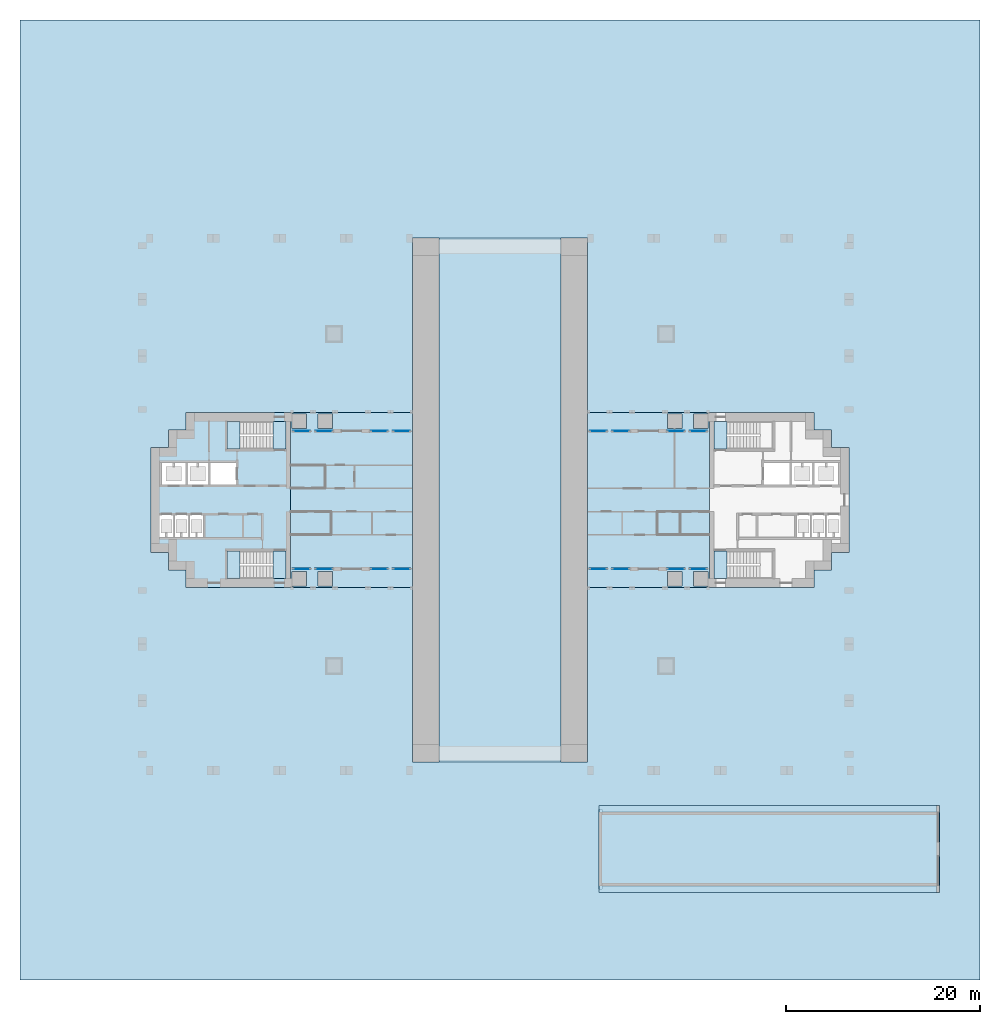
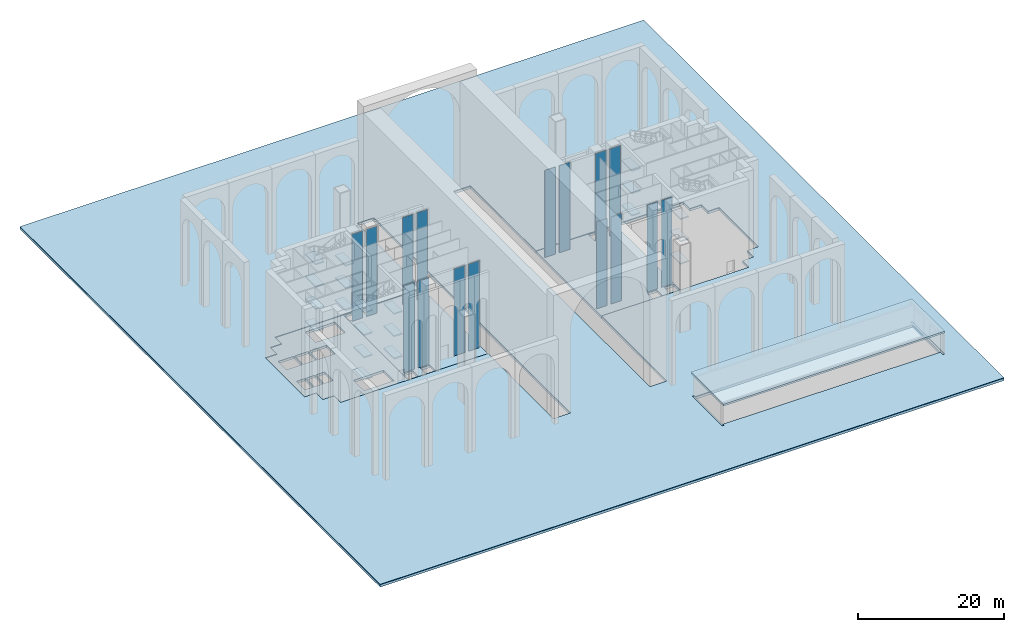
# One storey, part 3 of 18: 27 slabs, 16 plates, 20 elements without a shape of their own.
"""IFC4 building model written with IfcOpenShell, lengths in metres."""

import ifcopenshell
import ifcopenshell.guid

model = None  # the IFC model being written
_history = None  # IfcOwnerHistory: only IFC2X3 demands one
_inside = {}  # id of a spatial element -> (the spatial element, [elements in it])
_under = {}  # id of a project, library or spatial element -> (it, [spatial elements below it])
_declared = {}  # id of a project -> (the project, [libraries it declares])
_typed = {}  # id of a type object -> (the type object, [elements of that type])
_made_of = {}  # id of a material, layer set ... -> (it, [elements and type objects made of it])


def new_model(schema):
    """Start an empty IFC model of exactly this schema.

    Asked for "IFC4X3", IfcOpenShell would pick the latest addendum, in which some entities
    have other attributes; the version numbers below select the first issue.
    IFC2X3 requires an IfcOwnerHistory on every rooted entity: one is made here for all.
    """
    global model, _history
    if schema == "IFC4X3":
        model = ifcopenshell.file(schema_version=(4, 3, 0, 0))
    else:
        model = ifcopenshell.file(schema=schema)
    _inside.clear()
    _under.clear()
    _declared.clear()
    _typed.clear()
    _made_of.clear()
    _history = None
    if model.schema == "IFC2X3":
        org = make("IfcOrganization", Name="unknown")
        user = make(
            "IfcPersonAndOrganization",
            ThePerson=make("IfcPerson", FamilyName="unknown"),
            TheOrganization=org,
        )
        app = make(
            "IfcApplication",
            ApplicationDeveloper=org,
            Version="unknown",
            ApplicationFullName="unknown",
            ApplicationIdentifier="unknown",
        )
        _history = make(
            "IfcOwnerHistory",
            OwningUser=user,
            OwningApplication=app,
            ChangeAction="ADDED",
            CreationDate=0,
        )
    return model


def make(cls, **values):
    """One entity of the class cls with the attributes given. An attribute that is None is left unset."""
    return model.create_entity(
        cls, **{name: value for name, value in values.items() if value is not None}
    )


def rooted(cls, **values):
    """An entity with a GlobalId (a new one), such as an element, a storey or a relation."""
    return make(cls, GlobalId=ifcopenshell.guid.new(), OwnerHistory=_history, **values)


def si_unit(unit_type, name, prefix=None):
    """IfcSIUnit, for example si_unit("LENGTHUNIT", "METRE", prefix="MILLI")."""
    return make("IfcSIUnit", UnitType=unit_type, Prefix=prefix, Name=name)


def assignment(units):
    """IfcUnitAssignment: the units of a project."""
    return None if units is None else make("IfcUnitAssignment", Units=units)


def point(xyz):
    """IfcCartesianPoint."""
    return None if xyz is None else make("IfcCartesianPoint", Coordinates=xyz)


def direction(xyz):
    """IfcDirection."""
    return None if xyz is None else make("IfcDirection", DirectionRatios=xyz)


def frame(location, z_axis=None, x_axis=None):
    """IfcAxis2Placement3D, a coordinate frame: its origin and axes. An axis left out is left unset."""
    return make(
        "IfcAxis2Placement3D",
        Location=point(location),
        Axis=direction(z_axis),
        RefDirection=direction(x_axis),
    )


def frame_2d(location, x_axis=None):
    """IfcAxis2Placement2D, a coordinate frame in the plane: its origin and x axis."""
    return make(
        "IfcAxis2Placement2D", Location=point(location), RefDirection=direction(x_axis)
    )


def origin():
    """The frame at (0, 0, 0) with its axes left unset."""
    return frame((0.0, 0.0, 0.0))


def origin_2d():
    """The frame at (0, 0) in the plane with its x axis left unset."""
    return frame_2d((0.0, 0.0))


def place(relative_to, where):
    """IfcLocalPlacement: puts the frame where relative to a parent placement (None: the world)."""
    return make(
        "IfcLocalPlacement", PlacementRelTo=relative_to, RelativePlacement=where
    )


def context(
    kind, dimensions, precision=None, world=None, true_north=None, identifier=None
):
    """IfcGeometricRepresentationContext, for example the 3D "Model" context."""
    return make(
        "IfcGeometricRepresentationContext",
        ContextIdentifier=identifier,
        ContextType=kind,
        CoordinateSpaceDimension=dimensions,
        Precision=precision,
        WorldCoordinateSystem=world,
        TrueNorth=true_north,
    )


def subcontext(parent, identifier, kind, view, scale=None):
    """IfcGeometricRepresentationSubContext, for example "Body" below "Model"."""
    return make(
        "IfcGeometricRepresentationSubContext",
        ContextIdentifier=identifier,
        ContextType=kind,
        ParentContext=parent,
        TargetScale=scale,
        TargetView=view,
    )


def project(units=None, contexts=None):
    """IfcProject with its units and contexts."""
    return rooted(
        "IfcProject",
        Name="project",
        RepresentationContexts=contexts,
        UnitsInContext=assignment(units),
    )


def spatial(cls, under=None, at=None, **own):
    """A site, building, storey or space (cls), placed at a placement, below another one or the project."""
    s = rooted(cls, ObjectPlacement=at, **own)
    if under is not None:
        _under.setdefault(under.id(), (under, []))[1].append(s)
    return s


def polyline(points):
    """IfcPolyline through the points."""
    return make("IfcPolyline", Points=[point(p) for p in points])


def profile(cls, at=None, kind="AREA", **sizes):
    """A parametric profile (cls). Its sizes go by their IFC names, for example OverallWidth=200.0."""
    return make(cls, ProfileType=kind, Position=at, **sizes)


def rectangle(**sizes):
    """IfcRectangleProfileDef."""
    return profile("IfcRectangleProfileDef", **sizes)


def outline(outer, holes=None, kind="AREA"):
    """IfcArbitraryClosedProfileDef: a profile drawn as a closed curve; with holes, ...WithVoids."""
    if holes is None:
        return make("IfcArbitraryClosedProfileDef", ProfileType=kind, OuterCurve=outer)
    return make(
        "IfcArbitraryProfileDefWithVoids",
        ProfileType=kind,
        OuterCurve=outer,
        InnerCurves=holes,
    )


def extrude(swept, where, along, depth):
    """IfcExtrudedAreaSolid: the profile swept, set in the frame where, extruded along a direction by depth."""
    return make(
        "IfcExtrudedAreaSolid",
        SweptArea=swept,
        Position=where,
        ExtrudedDirection=direction(along),
        Depth=depth,
    )


def shape(context_of_items, identifier, shape_type, items):
    """IfcShapeRepresentation: the items that make up one representation, for example the "Body"."""
    return make(
        "IfcShapeRepresentation",
        ContextOfItems=context_of_items,
        RepresentationIdentifier=identifier,
        RepresentationType=shape_type,
        Items=items,
    )


def material(Name=None, Category=None):
    """IfcMaterial."""
    return make("IfcMaterial", Name=Name, Category=Category)


def layer(
    of_material, thickness, ventilated=None, Name=None, Category=None, Priority=None
):
    """IfcMaterialLayer: one layer of a wall or slab, of a material (None: an air gap)."""
    return make(
        "IfcMaterialLayer",
        Material=of_material,
        LayerThickness=thickness,
        IsVentilated=ventilated,
        Name=Name,
        Category=Category,
        Priority=Priority,
    )


def layer_set(layers, Name=None):
    """IfcMaterialLayerSet."""
    return make("IfcMaterialLayerSet", MaterialLayers=layers, LayerSetName=Name)


def made_of(thing, what):
    """Note that an element or type object is made of a material, layer set ...; save() writes the relation."""
    if what is not None:
        _made_of.setdefault(what.id(), (what, []))[1].append(thing)
    return thing


def type_object(cls, material=None, **own):
    """A type object (cls), such as IfcWallType, which elements share."""
    return made_of(rooted(cls, **own), material)


def element(
    cls,
    number,
    at=None,
    inside=None,
    cuts=None,
    type_object=None,
    material=None,
    context=None,
    identifier="Body",
    shape_type=None,
    held_by="IfcProductDefinitionShape",
    body=None,
    shapes=None,
    **own,
):
    """One element of the class cls, such as IfcWall. Its Tag is "e" and its number.

    at: its placement. inside: the storey or other place that contains it. cuts: it is an
    opening in that element (IfcRelVoidsElement). A single representation is given by context,
    identifier, shape_type and body (its items); several are given by shapes. held_by: the class
    of the entity that holds the representations. save() writes the other relations.
    """
    e = rooted(cls, Tag="e%d" % number, ObjectPlacement=at, **own)
    if body is not None:
        shapes = [shape(context, identifier, shape_type, body)]
    if shapes is not None:
        e.Representation = make(held_by, Representations=shapes)
    if inside is not None:
        _inside.setdefault(inside.id(), (inside, []))[1].append(e)
    if cuts is not None:
        rooted(
            "IfcRelVoidsElement", RelatingBuildingElement=cuts, RelatedOpeningElement=e
        )
    if type_object is not None:
        _typed.setdefault(type_object.id(), (type_object, []))[1].append(e)
    return made_of(e, material)


def aggregate(whole, parts):
    """IfcRelAggregates: a whole, such as a stair, and the parts it consists of."""
    return rooted("IfcRelAggregates", RelatingObject=whole, RelatedObjects=parts)


def save(model, path):
    """Write the relations noted so far, then the file.

    IfcRelAggregates (storeys below a building ...), IfcRelContainedInSpatialStructure (elements
    in a storey), IfcRelDefinesByType, IfcRelAssociatesMaterial and IfcRelDeclares: one each for
    every whole, place, type object, material and project.
    """
    for whole, parts in _under.values():
        aggregate(whole, parts)
    for where, things in _inside.values():
        rooted(
            "IfcRelContainedInSpatialStructure",
            RelatedElements=things,
            RelatingStructure=where,
        )
    for kind, things in _typed.values():
        rooted("IfcRelDefinesByType", RelatedObjects=things, RelatingType=kind)
    for what, things in _made_of.values():
        rooted("IfcRelAssociatesMaterial", RelatedObjects=things, RelatingMaterial=what)
    for by, libraries in _declared.values():
        rooted("IfcRelDeclares", RelatingContext=by, RelatedDefinitions=libraries)
    model.write(path)


model = new_model("IFC4")

# Units and contexts
model_context = context("Model", 3, precision=1e-05, world=origin(), true_north=direction((0.0, 1.0)))
body_context = subcontext(model_context, "Body", "Model", "MODEL_VIEW")
ifc_project = project(units=[si_unit("LENGTHUNIT", "METRE"), si_unit("AREAUNIT", "SQUARE_METRE"), si_unit("VOLUMEUNIT", "CUBIC_METRE"), si_unit("PLANEANGLEUNIT", "RADIAN"), si_unit("MASSUNIT", "GRAM", prefix="KILO")], contexts=[model_context])

# Site, building, storey
site_placement = place(None, origin())
site = spatial("IfcSite", under=ifc_project, at=site_placement, CompositionType="ELEMENT")
building_placement = place(site_placement, origin())
building = spatial("IfcBuilding", under=site, at=building_placement, Name="Perihelion Cross Residences", CompositionType="ELEMENT")
storey_placement = place(building_placement, origin())
storey = spatial("IfcBuildingStorey", under=building, at=storey_placement, Name="L00", CompositionType="ELEMENT", Elevation=0.0)

# Curtain wall, plate
ifc_material_1 = material(Name="Bronze anodised aluminium, tinted glazing", Category="aluminium")
curtain_wall_type = type_object("IfcCurtainWallType", Name="CW5", PredefinedType="NOTDEFINED", material=ifc_material_1)
curtain_wall_1_placement = place(storey_placement, origin())
curtain_wall_1 = element("IfcCurtainWall", 1, at=curtain_wall_1_placement, inside=storey, type_object=curtain_wall_type, Name="Curtain wall CW5 L00 arcade east bay 1 glazing no. 1", PredefinedType="NOTDEFINED")
ifc_material_2 = material(Name="Tinted laminated glass", Category="glass")
ifc_layer_1 = layer(ifc_material_2, 0.0400390625)
ifc_layer_set_1 = layer_set([ifc_layer_1], Name="CW5 panel")
plate_type = type_object("IfcPlateType", Name="CW5 panel", PredefinedType="CURTAIN_PANEL", material=ifc_layer_set_1)
plate_1_placement = place(storey_placement, frame((20.449951171875, 7.10009765625, 0.0), z_axis=(0.0, 0.0, 1.0), x_axis=(-1.0, 0.0, 0.0)))
plate_1 = element("IfcPlate", 2, at=plate_1_placement, type_object=plate_type, Name="CW5 panel 1", PredefinedType="CURTAIN_PANEL", context=body_context, shape_type="SweptSolid", body=[
    extrude(rectangle(XDim=1.699951171875, YDim=0.0400390625, at=origin_2d()), origin(), (0.0, 0.0, 1.0), 14.60009765625),
])
aggregate(curtain_wall_1, [plate_1])

curtain_wall_2_placement = place(storey_placement, origin())
curtain_wall_2 = element("IfcCurtainWall", 3, at=curtain_wall_2_placement, inside=storey, type_object=curtain_wall_type, Name="Curtain wall CW5 L00 arcade east bay 2 glazing no. 1", PredefinedType="NOTDEFINED")
plate_2_placement = place(storey_placement, frame((18.14990234375, 7.10009765625, 0.0), z_axis=(0.0, 0.0, 1.0), x_axis=(-1.0, 0.0, 0.0)))
plate_2 = element("IfcPlate", 4, at=plate_2_placement, type_object=plate_type, Name="CW5 panel 1", PredefinedType="CURTAIN_PANEL", context=body_context, shape_type="SweptSolid", body=[
    extrude(rectangle(XDim=1.699951171875, YDim=0.0400390625, at=origin_2d()), origin(), (0.0, 0.0, 1.0), 14.60009765625),
])
aggregate(curtain_wall_2, [plate_2])

curtain_wall_3_placement = place(storey_placement, origin())
curtain_wall_3 = element("IfcCurtainWall", 5, at=curtain_wall_3_placement, inside=storey, type_object=curtain_wall_type, Name="Curtain wall CW5 L00 arcade east bay 4 glazing no. 1", PredefinedType="NOTDEFINED")
plate_3_placement = place(storey_placement, frame((12.449951171875, 7.10009765625, 0.0), z_axis=(0.0, 0.0, 1.0), x_axis=(-1.0, 0.0, 0.0)))
plate_3 = element("IfcPlate", 6, at=plate_3_placement, type_object=plate_type, Name="CW5 panel 1", PredefinedType="CURTAIN_PANEL", context=body_context, shape_type="SweptSolid", body=[
    extrude(rectangle(XDim=1.699951171875, YDim=0.0400390625, at=origin_2d()), origin(), (0.0, 0.0, 1.0), 14.60009765625),
])
aggregate(curtain_wall_3, [plate_3])

curtain_wall_4_placement = place(storey_placement, origin())
curtain_wall_4 = element("IfcCurtainWall", 7, at=curtain_wall_4_placement, inside=storey, type_object=curtain_wall_type, Name="Curtain wall CW5 L00 arcade east bay 5 glazing no. 1", PredefinedType="NOTDEFINED")
plate_4_placement = place(storey_placement, frame((10.14990234375, 7.10009765625, 0.0), z_axis=(0.0, 0.0, 1.0), x_axis=(-1.0, 0.0, 0.0)))
plate_4 = element("IfcPlate", 8, at=plate_4_placement, type_object=plate_type, Name="CW5 panel 1", PredefinedType="CURTAIN_PANEL", context=body_context, shape_type="SweptSolid", body=[
    extrude(rectangle(XDim=1.699951171875, YDim=0.0400390625, at=origin_2d()), origin(), (0.0, 0.0, 1.0), 14.60009765625),
])
aggregate(curtain_wall_4, [plate_4])

curtain_wall_5_placement = place(storey_placement, origin())
curtain_wall_5 = element("IfcCurtainWall", 9, at=curtain_wall_5_placement, inside=storey, type_object=curtain_wall_type, Name="Curtain wall CW5 L00 arcade east bay 1 glazing no. 2", PredefinedType="NOTDEFINED")
plate_5_placement = place(storey_placement, frame((10.14990234375, -7.10009765625, 0.0), z_axis=(0.0, 0.0, 1.0), x_axis=(1.0, 0.0, 0.0)))
plate_5 = element("IfcPlate", 10, at=plate_5_placement, type_object=plate_type, Name="CW5 panel 1", PredefinedType="CURTAIN_PANEL", context=body_context, shape_type="SweptSolid", body=[
    extrude(rectangle(XDim=1.699951171875, YDim=0.0400390625, at=origin_2d()), origin(), (0.0, 0.0, 1.0), 14.60009765625),
])
aggregate(curtain_wall_5, [plate_5])

curtain_wall_6_placement = place(storey_placement, origin())
curtain_wall_6 = element("IfcCurtainWall", 11, at=curtain_wall_6_placement, inside=storey, type_object=curtain_wall_type, Name="Curtain wall CW5 L00 arcade east bay 2 glazing no. 2", PredefinedType="NOTDEFINED")
plate_6_placement = place(storey_placement, frame((12.449951171875, -7.10009765625, 0.0), z_axis=(0.0, 0.0, 1.0), x_axis=(1.0, 0.0, 0.0)))
plate_6 = element("IfcPlate", 12, at=plate_6_placement, type_object=plate_type, Name="CW5 panel 1", PredefinedType="CURTAIN_PANEL", context=body_context, shape_type="SweptSolid", body=[
    extrude(rectangle(XDim=1.699951171875, YDim=0.0400390625, at=origin_2d()), origin(), (0.0, 0.0, 1.0), 14.60009765625),
])
aggregate(curtain_wall_6, [plate_6])

curtain_wall_7_placement = place(storey_placement, origin())
curtain_wall_7 = element("IfcCurtainWall", 13, at=curtain_wall_7_placement, inside=storey, type_object=curtain_wall_type, Name="Curtain wall CW5 L00 arcade east bay 4 glazing no. 2", PredefinedType="NOTDEFINED")
plate_7_placement = place(storey_placement, frame((18.14990234375, -7.10009765625, 0.0), z_axis=(0.0, 0.0, 1.0), x_axis=(1.0, 0.0, 0.0)))
plate_7 = element("IfcPlate", 14, at=plate_7_placement, type_object=plate_type, Name="CW5 panel 1", PredefinedType="CURTAIN_PANEL", context=body_context, shape_type="SweptSolid", body=[
    extrude(rectangle(XDim=1.699951171875, YDim=0.0400390625, at=origin_2d()), origin(), (0.0, 0.0, 1.0), 14.60009765625),
])
aggregate(curtain_wall_7, [plate_7])

curtain_wall_8_placement = place(storey_placement, origin())
curtain_wall_8 = element("IfcCurtainWall", 15, at=curtain_wall_8_placement, inside=storey, type_object=curtain_wall_type, Name="Curtain wall CW5 L00 arcade east bay 5 glazing no. 2", PredefinedType="NOTDEFINED")
plate_8_placement = place(storey_placement, frame((20.449951171875, -7.10009765625, 0.0), z_axis=(0.0, 0.0, 1.0), x_axis=(1.0, 0.0, 0.0)))
plate_8 = element("IfcPlate", 16, at=plate_8_placement, type_object=plate_type, Name="CW5 panel 1", PredefinedType="CURTAIN_PANEL", context=body_context, shape_type="SweptSolid", body=[
    extrude(rectangle(XDim=1.699951171875, YDim=0.0400390625, at=origin_2d()), origin(), (0.0, 0.0, 1.0), 14.60009765625),
])
aggregate(curtain_wall_8, [plate_8])

curtain_wall_9_placement = place(storey_placement, origin())
curtain_wall_9 = element("IfcCurtainWall", 17, at=curtain_wall_9_placement, inside=storey, type_object=curtain_wall_type, Name="Curtain wall CW5 L00 arcade west bay 1 glazing no. 1", PredefinedType="NOTDEFINED")
plate_9_placement = place(storey_placement, frame((-10.14990234375, 7.10009765625, 0.0), z_axis=(0.0, 0.0, 1.0), x_axis=(-1.0, 0.0, 0.0)))
plate_9 = element("IfcPlate", 18, at=plate_9_placement, type_object=plate_type, Name="CW5 panel 1", PredefinedType="CURTAIN_PANEL", context=body_context, shape_type="SweptSolid", body=[
    extrude(rectangle(XDim=1.699951171875, YDim=0.0400390625, at=origin_2d()), origin(), (0.0, 0.0, 1.0), 14.60009765625),
])
aggregate(curtain_wall_9, [plate_9])

curtain_wall_10_placement = place(storey_placement, origin())
curtain_wall_10 = element("IfcCurtainWall", 19, at=curtain_wall_10_placement, inside=storey, type_object=curtain_wall_type, Name="Curtain wall CW5 L00 arcade west bay 2 glazing no. 1", PredefinedType="NOTDEFINED")
plate_10_placement = place(storey_placement, frame((-12.449951171875, 7.10009765625, 0.0), z_axis=(0.0, 0.0, 1.0), x_axis=(-1.0, 0.0, 0.0)))
plate_10 = element("IfcPlate", 20, at=plate_10_placement, type_object=plate_type, Name="CW5 panel 1", PredefinedType="CURTAIN_PANEL", context=body_context, shape_type="SweptSolid", body=[
    extrude(rectangle(XDim=1.699951171875, YDim=0.0400390625, at=origin_2d()), origin(), (0.0, 0.0, 1.0), 14.60009765625),
])
aggregate(curtain_wall_10, [plate_10])

curtain_wall_11_placement = place(storey_placement, origin())
curtain_wall_11 = element("IfcCurtainWall", 21, at=curtain_wall_11_placement, inside=storey, type_object=curtain_wall_type, Name="Curtain wall CW5 L00 arcade west bay 4 glazing no. 1", PredefinedType="NOTDEFINED")
plate_11_placement = place(storey_placement, frame((-18.14990234375, 7.10009765625, 0.0), z_axis=(0.0, 0.0, 1.0), x_axis=(-1.0, 0.0, 0.0)))
plate_11 = element("IfcPlate", 22, at=plate_11_placement, type_object=plate_type, Name="CW5 panel 1", PredefinedType="CURTAIN_PANEL", context=body_context, shape_type="SweptSolid", body=[
    extrude(rectangle(XDim=1.699951171875, YDim=0.0400390625, at=origin_2d()), origin(), (0.0, 0.0, 1.0), 14.60009765625),
])
aggregate(curtain_wall_11, [plate_11])

curtain_wall_12_placement = place(storey_placement, origin())
curtain_wall_12 = element("IfcCurtainWall", 23, at=curtain_wall_12_placement, inside=storey, type_object=curtain_wall_type, Name="Curtain wall CW5 L00 arcade west bay 5 glazing no. 1", PredefinedType="NOTDEFINED")
plate_12_placement = place(storey_placement, frame((-20.449951171875, 7.10009765625, 0.0), z_axis=(0.0, 0.0, 1.0), x_axis=(-1.0, 0.0, 0.0)))
plate_12 = element("IfcPlate", 24, at=plate_12_placement, type_object=plate_type, Name="CW5 panel 1", PredefinedType="CURTAIN_PANEL", context=body_context, shape_type="SweptSolid", body=[
    extrude(rectangle(XDim=1.699951171875, YDim=0.0400390625, at=origin_2d()), origin(), (0.0, 0.0, 1.0), 14.60009765625),
])
aggregate(curtain_wall_12, [plate_12])

curtain_wall_13_placement = place(storey_placement, origin())
curtain_wall_13 = element("IfcCurtainWall", 25, at=curtain_wall_13_placement, inside=storey, type_object=curtain_wall_type, Name="Curtain wall CW5 L00 arcade west bay 1 glazing no. 2", PredefinedType="NOTDEFINED")
plate_13_placement = place(storey_placement, frame((-20.449951171875, -7.10009765625, 0.0), z_axis=(0.0, 0.0, 1.0), x_axis=(1.0, 0.0, 0.0)))
plate_13 = element("IfcPlate", 26, at=plate_13_placement, type_object=plate_type, Name="CW5 panel 1", PredefinedType="CURTAIN_PANEL", context=body_context, shape_type="SweptSolid", body=[
    extrude(rectangle(XDim=1.699951171875, YDim=0.0400390625, at=origin_2d()), origin(), (0.0, 0.0, 1.0), 14.60009765625),
])
aggregate(curtain_wall_13, [plate_13])

curtain_wall_14_placement = place(storey_placement, origin())
curtain_wall_14 = element("IfcCurtainWall", 27, at=curtain_wall_14_placement, inside=storey, type_object=curtain_wall_type, Name="Curtain wall CW5 L00 arcade west bay 2 glazing no. 2", PredefinedType="NOTDEFINED")
plate_14_placement = place(storey_placement, frame((-18.14990234375, -7.10009765625, 0.0), z_axis=(0.0, 0.0, 1.0), x_axis=(1.0, 0.0, 0.0)))
plate_14 = element("IfcPlate", 28, at=plate_14_placement, type_object=plate_type, Name="CW5 panel 1", PredefinedType="CURTAIN_PANEL", context=body_context, shape_type="SweptSolid", body=[
    extrude(rectangle(XDim=1.699951171875, YDim=0.0400390625, at=origin_2d()), origin(), (0.0, 0.0, 1.0), 14.60009765625),
])
aggregate(curtain_wall_14, [plate_14])

curtain_wall_15_placement = place(storey_placement, origin())
curtain_wall_15 = element("IfcCurtainWall", 29, at=curtain_wall_15_placement, inside=storey, type_object=curtain_wall_type, Name="Curtain wall CW5 L00 arcade west bay 4 glazing no. 2", PredefinedType="NOTDEFINED")
plate_15_placement = place(storey_placement, frame((-12.449951171875, -7.10009765625, 0.0), z_axis=(0.0, 0.0, 1.0), x_axis=(1.0, 0.0, 0.0)))
plate_15 = element("IfcPlate", 30, at=plate_15_placement, type_object=plate_type, Name="CW5 panel 1", PredefinedType="CURTAIN_PANEL", context=body_context, shape_type="SweptSolid", body=[
    extrude(rectangle(XDim=1.699951171875, YDim=0.0400390625, at=origin_2d()), origin(), (0.0, 0.0, 1.0), 14.60009765625),
])
aggregate(curtain_wall_15, [plate_15])

curtain_wall_16_placement = place(storey_placement, origin())
curtain_wall_16 = element("IfcCurtainWall", 31, at=curtain_wall_16_placement, inside=storey, type_object=curtain_wall_type, Name="Curtain wall CW5 L00 arcade west bay 5 glazing no. 2", PredefinedType="NOTDEFINED")
plate_16_placement = place(storey_placement, frame((-10.14990234375, -7.10009765625, 0.0), z_axis=(0.0, 0.0, 1.0), x_axis=(1.0, 0.0, 0.0)))
plate_16 = element("IfcPlate", 32, at=plate_16_placement, type_object=plate_type, Name="CW5 panel 1", PredefinedType="CURTAIN_PANEL", context=body_context, shape_type="SweptSolid", body=[
    extrude(rectangle(XDim=1.699951171875, YDim=0.0400390625, at=origin_2d()), origin(), (0.0, 0.0, 1.0), 14.60009765625),
])
aggregate(curtain_wall_16, [plate_16])

# Slab
ifc_material_3 = material(Name="Concrete C40/50", Category="concrete")
ifc_layer_2 = layer(ifc_material_3, 0.39990234375)
ifc_layer_set_2 = layer_set([ifc_layer_2], Name="Core floor slab 400")
slab_type_1 = type_object("IfcSlabType", Name="Core floor slab 400", PredefinedType="FLOOR", material=ifc_layer_set_2)
slab_1_placement = place(storey_placement, frame((0.0, 0.0, -0.39990234375)))
element("IfcSlab", 33, at=slab_1_placement, inside=storey, type_object=slab_type_1, Name="West core floor slab", PredefinedType="FLOOR", context=body_context, shape_type="SweptSolid", body=[
    extrude(outline(polyline([(-32.39990234375, 7.199951171875), (-34.199951171875, 7.199951171875), (-34.199951171875, 5.39990234375), (-36.0, 5.39990234375), (-36.0, -5.39990234375), (-34.199951171875, -5.39990234375), (-34.199951171875, -7.199951171875), (-32.39990234375, -7.199951171875), (-32.39990234375, -9.0), (-21.60009765625, -9.0), (-21.60009765625, 9.0), (-32.39990234375, 9.0), (-32.39990234375, 7.199951171875)]), holes=[polyline([(-23.405029296875, -8.10009765625), (-28.14990234375, -8.10009765625), (-28.14990234375, -5.25), (-23.405029296875, -5.25), (-23.405029296875, -8.10009765625)]), polyline([(-30.60009765625, -1.550048828125), (-30.60009765625, -3.85009765625), (-32.0, -3.85009765625), (-32.0, -1.550048828125), (-30.60009765625, -1.550048828125)]), polyline([(-32.14990234375, -1.550048828125), (-32.14990234375, -3.85009765625), (-33.550048828125, -3.85009765625), (-33.550048828125, -1.550048828125), (-32.14990234375, -1.550048828125)]), polyline([(-33.699951171875, -1.550048828125), (-33.699951171875, -3.85009765625), (-35.10009765625, -3.85009765625), (-35.10009765625, -1.550048828125), (-33.699951171875, -1.550048828125)]), polyline([(-27.199951171875, 3.85009765625), (-27.199951171875, 1.550048828125), (-29.89990234375, 1.550048828125), (-29.89990234375, 3.85009765625), (-27.199951171875, 3.85009765625)]), polyline([(-30.10009765625, 3.85009765625), (-30.10009765625, 1.550048828125), (-32.199951171875, 1.550048828125), (-32.199951171875, 3.85009765625), (-30.10009765625, 3.85009765625)]), polyline([(-32.39990234375, 3.85009765625), (-32.39990234375, 1.550048828125), (-34.89990234375, 1.550048828125), (-34.89990234375, 3.85009765625), (-32.39990234375, 3.85009765625)]), polyline([(-23.405029296875, 5.25), (-28.14990234375, 5.25), (-28.14990234375, 8.10009765625), (-23.405029296875, 8.10009765625), (-23.405029296875, 5.25)])]), origin(), (0.0, 0.0, 1.0), 0.39990234375),
])

# Stair, slabs
ifc_material_4 = material(Name="Concrete C40/50", Category="concrete")
stair_type = type_object("IfcStairType", Name="Exit stair, half-turn", PredefinedType="HALF_TURN_STAIR", material=ifc_material_4)
stair_1_placement = place(storey_placement, origin())
stair_1 = element("IfcStair", 34, at=stair_1_placement, inside=storey, type_object=stair_type, Name="L00 East core exit stair 1", PredefinedType="HALF_TURN_STAIR")
ifc_material_5 = material(Name="Concrete C40/50", Category="concrete")
ifc_layer_3 = layer(ifc_material_5, 0.199951171875)
ifc_layer_set_3 = layer_set([ifc_layer_3], Name="Exit stair landing 200")
slab_type_2 = type_object("IfcSlabType", Name="Exit stair landing 200", PredefinedType="LANDING", material=ifc_layer_set_3)
slab_2_placement = place(storey_placement, frame((0.0, 0.0, 3.550048828125)))
slab_2 = element("IfcSlab", 35, at=slab_2_placement, type_object=slab_type_2, Name="ST-E1 landing 2", PredefinedType="LANDING", context=body_context, shape_type="SweptSolid", body=[
    extrude(outline(polyline([(22.050048828125, 5.25), (23.39990234375, 5.25), (23.39990234375, 8.10009765625), (22.050048828125, 8.10009765625), (22.050048828125, 5.25)])), origin(), (0.0, 0.0, 1.0), 0.199951171875),
])
slab_3_placement = place(storey_placement, frame((0.0, 0.0, 7.300048828125)))
slab_3 = element("IfcSlab", 36, at=slab_3_placement, type_object=slab_type_2, Name="ST-E1 landing 4", PredefinedType="LANDING", context=body_context, shape_type="SweptSolid", body=[
    extrude(outline(polyline([(22.050048828125, 5.25), (23.39990234375, 5.25), (23.39990234375, 8.10009765625), (22.050048828125, 8.10009765625), (22.050048828125, 5.25)])), origin(), (0.0, 0.0, 1.0), 0.199951171875),
])
slab_4_placement = place(storey_placement, frame((0.0, 0.0, 11.050048828125)))
slab_4 = element("IfcSlab", 37, at=slab_4_placement, type_object=slab_type_2, Name="ST-E1 landing 6", PredefinedType="LANDING", context=body_context, shape_type="SweptSolid", body=[
    extrude(outline(polyline([(22.050048828125, 5.25), (23.39990234375, 5.25), (23.39990234375, 8.10009765625), (22.050048828125, 8.10009765625), (22.050048828125, 5.25)])), origin(), (0.0, 0.0, 1.0), 0.199951171875),
])
aggregate(stair_1, [slab_2, slab_3, slab_4])

stair_2_placement = place(storey_placement, origin())
stair_2 = element("IfcStair", 38, at=stair_2_placement, inside=storey, type_object=stair_type, Name="L00 East core exit stair 2", PredefinedType="HALF_TURN_STAIR")
slab_5_placement = place(storey_placement, frame((0.0, 0.0, 3.550048828125)))
slab_5 = element("IfcSlab", 39, at=slab_5_placement, type_object=slab_type_2, Name="ST-E2 landing 2", PredefinedType="LANDING", context=body_context, shape_type="SweptSolid", body=[
    extrude(outline(polyline([(22.050048828125, -8.10009765625), (23.39990234375, -8.10009765625), (23.39990234375, -5.25), (22.050048828125, -5.25), (22.050048828125, -8.10009765625)])), origin(), (0.0, 0.0, 1.0), 0.199951171875),
])
slab_6_placement = place(storey_placement, frame((0.0, 0.0, 7.300048828125)))
slab_6 = element("IfcSlab", 40, at=slab_6_placement, type_object=slab_type_2, Name="ST-E2 landing 4", PredefinedType="LANDING", context=body_context, shape_type="SweptSolid", body=[
    extrude(outline(polyline([(22.050048828125, -8.10009765625), (23.39990234375, -8.10009765625), (23.39990234375, -5.25), (22.050048828125, -5.25), (22.050048828125, -8.10009765625)])), origin(), (0.0, 0.0, 1.0), 0.199951171875),
])
slab_7_placement = place(storey_placement, frame((0.0, 0.0, 11.050048828125)))
slab_7 = element("IfcSlab", 41, at=slab_7_placement, type_object=slab_type_2, Name="ST-E2 landing 6", PredefinedType="LANDING", context=body_context, shape_type="SweptSolid", body=[
    extrude(outline(polyline([(22.050048828125, -8.10009765625), (23.39990234375, -8.10009765625), (23.39990234375, -5.25), (22.050048828125, -5.25), (22.050048828125, -8.10009765625)])), origin(), (0.0, 0.0, 1.0), 0.199951171875),
])
aggregate(stair_2, [slab_5, slab_6, slab_7])

stair_3_placement = place(storey_placement, origin())
stair_3 = element("IfcStair", 42, at=stair_3_placement, inside=storey, type_object=stair_type, Name="L00 West core exit stair 1", PredefinedType="HALF_TURN_STAIR")
slab_8_placement = place(storey_placement, frame((0.0, 0.0, 1.675048828125)))
slab_8 = element("IfcSlab", 43, at=slab_8_placement, type_object=slab_type_2, Name="ST-W1 landing 1", PredefinedType="LANDING", context=body_context, shape_type="SweptSolid", body=[
    extrude(outline(polyline([(-26.800048828125, 8.10009765625), (-28.14990234375, 8.10009765625), (-28.14990234375, 5.25), (-26.800048828125, 5.25), (-26.800048828125, 8.10009765625)])), origin(), (0.0, 0.0, 1.0), 0.199951171875),
])
slab_9_placement = place(storey_placement, frame((0.0, 0.0, 3.550048828125)))
slab_9 = element("IfcSlab", 44, at=slab_9_placement, type_object=slab_type_2, Name="ST-W1 landing 2", PredefinedType="LANDING", context=body_context, shape_type="SweptSolid", body=[
    extrude(outline(polyline([(-22.050048828125, 8.10009765625), (-23.39990234375, 8.10009765625), (-23.39990234375, 5.25), (-22.050048828125, 5.25), (-22.050048828125, 8.10009765625)])), origin(), (0.0, 0.0, 1.0), 0.199951171875),
])
slab_10_placement = place(storey_placement, frame((0.0, 0.0, 5.425048828125)))
slab_10 = element("IfcSlab", 45, at=slab_10_placement, type_object=slab_type_2, Name="ST-W1 landing 3", PredefinedType="LANDING", context=body_context, shape_type="SweptSolid", body=[
    extrude(outline(polyline([(-26.800048828125, 8.10009765625), (-28.14990234375, 8.10009765625), (-28.14990234375, 5.25), (-26.800048828125, 5.25), (-26.800048828125, 8.10009765625)])), origin(), (0.0, 0.0, 1.0), 0.199951171875),
])
slab_11_placement = place(storey_placement, frame((0.0, 0.0, 7.300048828125)))
slab_11 = element("IfcSlab", 46, at=slab_11_placement, type_object=slab_type_2, Name="ST-W1 landing 4", PredefinedType="LANDING", context=body_context, shape_type="SweptSolid", body=[
    extrude(outline(polyline([(-22.050048828125, 8.10009765625), (-23.39990234375, 8.10009765625), (-23.39990234375, 5.25), (-22.050048828125, 5.25), (-22.050048828125, 8.10009765625)])), origin(), (0.0, 0.0, 1.0), 0.199951171875),
])
slab_12_placement = place(storey_placement, frame((0.0, 0.0, 9.175048828125)))
slab_12 = element("IfcSlab", 47, at=slab_12_placement, type_object=slab_type_2, Name="ST-W1 landing 5", PredefinedType="LANDING", context=body_context, shape_type="SweptSolid", body=[
    extrude(outline(polyline([(-26.800048828125, 8.10009765625), (-28.14990234375, 8.10009765625), (-28.14990234375, 5.25), (-26.800048828125, 5.25), (-26.800048828125, 8.10009765625)])), origin(), (0.0, 0.0, 1.0), 0.199951171875),
])
slab_13_placement = place(storey_placement, frame((0.0, 0.0, 11.050048828125)))
slab_13 = element("IfcSlab", 48, at=slab_13_placement, type_object=slab_type_2, Name="ST-W1 landing 6", PredefinedType="LANDING", context=body_context, shape_type="SweptSolid", body=[
    extrude(outline(polyline([(-22.050048828125, 8.10009765625), (-23.39990234375, 8.10009765625), (-23.39990234375, 5.25), (-22.050048828125, 5.25), (-22.050048828125, 8.10009765625)])), origin(), (0.0, 0.0, 1.0), 0.199951171875),
])
slab_14_placement = place(storey_placement, frame((0.0, 0.0, 12.925048828125)))
slab_14 = element("IfcSlab", 49, at=slab_14_placement, type_object=slab_type_2, Name="ST-W1 landing 7", PredefinedType="LANDING", context=body_context, shape_type="SweptSolid", body=[
    extrude(outline(polyline([(-26.800048828125, 8.10009765625), (-28.14990234375, 8.10009765625), (-28.14990234375, 5.25), (-26.800048828125, 5.25), (-26.800048828125, 8.10009765625)])), origin(), (0.0, 0.0, 1.0), 0.199951171875),
])
aggregate(stair_3, [slab_8, slab_9, slab_10, slab_11, slab_12, slab_13, slab_14])

stair_4_placement = place(storey_placement, origin())
stair_4 = element("IfcStair", 50, at=stair_4_placement, inside=storey, type_object=stair_type, Name="L00 West core exit stair 2", PredefinedType="HALF_TURN_STAIR")
slab_15_placement = place(storey_placement, frame((0.0, 0.0, 1.675048828125)))
slab_15 = element("IfcSlab", 51, at=slab_15_placement, type_object=slab_type_2, Name="ST-W2 landing 1", PredefinedType="LANDING", context=body_context, shape_type="SweptSolid", body=[
    extrude(outline(polyline([(-26.800048828125, -5.25), (-28.14990234375, -5.25), (-28.14990234375, -8.10009765625), (-26.800048828125, -8.10009765625), (-26.800048828125, -5.25)])), origin(), (0.0, 0.0, 1.0), 0.199951171875),
])
slab_16_placement = place(storey_placement, frame((0.0, 0.0, 3.550048828125)))
slab_16 = element("IfcSlab", 52, at=slab_16_placement, type_object=slab_type_2, Name="ST-W2 landing 2", PredefinedType="LANDING", context=body_context, shape_type="SweptSolid", body=[
    extrude(outline(polyline([(-22.050048828125, -5.25), (-23.39990234375, -5.25), (-23.39990234375, -8.10009765625), (-22.050048828125, -8.10009765625), (-22.050048828125, -5.25)])), origin(), (0.0, 0.0, 1.0), 0.199951171875),
])
slab_17_placement = place(storey_placement, frame((0.0, 0.0, 5.425048828125)))
slab_17 = element("IfcSlab", 53, at=slab_17_placement, type_object=slab_type_2, Name="ST-W2 landing 3", PredefinedType="LANDING", context=body_context, shape_type="SweptSolid", body=[
    extrude(outline(polyline([(-26.800048828125, -5.25), (-28.14990234375, -5.25), (-28.14990234375, -8.10009765625), (-26.800048828125, -8.10009765625), (-26.800048828125, -5.25)])), origin(), (0.0, 0.0, 1.0), 0.199951171875),
])
slab_18_placement = place(storey_placement, frame((0.0, 0.0, 7.300048828125)))
slab_18 = element("IfcSlab", 54, at=slab_18_placement, type_object=slab_type_2, Name="ST-W2 landing 4", PredefinedType="LANDING", context=body_context, shape_type="SweptSolid", body=[
    extrude(outline(polyline([(-22.050048828125, -5.25), (-23.39990234375, -5.25), (-23.39990234375, -8.10009765625), (-22.050048828125, -8.10009765625), (-22.050048828125, -5.25)])), origin(), (0.0, 0.0, 1.0), 0.199951171875),
])
slab_19_placement = place(storey_placement, frame((0.0, 0.0, 9.175048828125)))
slab_19 = element("IfcSlab", 55, at=slab_19_placement, type_object=slab_type_2, Name="ST-W2 landing 5", PredefinedType="LANDING", context=body_context, shape_type="SweptSolid", body=[
    extrude(outline(polyline([(-26.800048828125, -5.25), (-28.14990234375, -5.25), (-28.14990234375, -8.10009765625), (-26.800048828125, -8.10009765625), (-26.800048828125, -5.25)])), origin(), (0.0, 0.0, 1.0), 0.199951171875),
])
slab_20_placement = place(storey_placement, frame((0.0, 0.0, 11.050048828125)))
slab_20 = element("IfcSlab", 56, at=slab_20_placement, type_object=slab_type_2, Name="ST-W2 landing 6", PredefinedType="LANDING", context=body_context, shape_type="SweptSolid", body=[
    extrude(outline(polyline([(-22.050048828125, -5.25), (-23.39990234375, -5.25), (-23.39990234375, -8.10009765625), (-22.050048828125, -8.10009765625), (-22.050048828125, -5.25)])), origin(), (0.0, 0.0, 1.0), 0.199951171875),
])
slab_21_placement = place(storey_placement, frame((0.0, 0.0, 12.925048828125)))
slab_21 = element("IfcSlab", 57, at=slab_21_placement, type_object=slab_type_2, Name="ST-W2 landing 7", PredefinedType="LANDING", context=body_context, shape_type="SweptSolid", body=[
    extrude(outline(polyline([(-26.800048828125, -5.25), (-28.14990234375, -5.25), (-28.14990234375, -8.10009765625), (-26.800048828125, -8.10009765625), (-26.800048828125, -5.25)])), origin(), (0.0, 0.0, 1.0), 0.199951171875),
])
aggregate(stair_4, [slab_15, slab_16, slab_17, slab_18, slab_19, slab_20, slab_21])

# Slabs
ifc_material_6 = material(Name="Concrete C50/60", Category="concrete")
ifc_layer_4 = layer(ifc_material_6, 0.39990234375)
ifc_layer_set_4 = layer_set([ifc_layer_4], Name="Ground floor slab concrete C50/60")
slab_type_3 = type_object("IfcSlabType", Name="Ground floor slab concrete C50/60", PredefinedType="FLOOR", material=ifc_layer_set_4)
slab_22_placement = place(storey_placement, frame((0.0, 0.0, -0.39990234375)))
element("IfcSlab", 58, at=slab_22_placement, inside=storey, type_object=slab_type_3, Name="Slab SL3 L00 wing 1", PredefinedType="FLOOR", context=body_context, shape_type="SweptSolid", body=[
    extrude(outline(polyline([(-9.0, 9.0), (-9.0, -9.0), (-21.60009765625, -9.0), (-21.60009765625, 9.0), (-9.0, 9.0)]), holes=[polyline([(-21.449951171875, -7.35009765625), (-21.449951171875, -8.85009765625), (-19.949951171875, -8.85009765625), (-19.949951171875, -7.35009765625), (-21.449951171875, -7.35009765625)]), polyline([(-18.75, -7.35009765625), (-18.75, -8.85009765625), (-17.25, -8.85009765625), (-17.25, -7.35009765625), (-18.75, -7.35009765625)]), polyline([(-21.449951171875, 8.85009765625), (-21.449951171875, 7.35009765625), (-19.949951171875, 7.35009765625), (-19.949951171875, 8.85009765625), (-21.449951171875, 8.85009765625)]), polyline([(-18.75, 8.85009765625), (-18.75, 7.35009765625), (-17.25, 7.35009765625), (-17.25, 8.85009765625), (-18.75, 8.85009765625)])]), origin(), (0.0, 0.0, 1.0), 0.39990234375),
])
slab_23_placement = place(storey_placement, frame((0.0, 0.0, -0.39990234375)))
element("IfcSlab", 59, at=slab_23_placement, inside=storey, type_object=slab_type_3, Name="Slab SL3 L00 wing 2", PredefinedType="FLOOR", context=body_context, shape_type="SweptSolid", body=[
    extrude(outline(polyline([(9.0, -9.0), (9.0, 9.0), (21.60009765625, 9.0), (21.60009765625, -9.0), (9.0, -9.0)]), holes=[polyline([(17.25, -7.35009765625), (17.25, -8.85009765625), (18.75, -8.85009765625), (18.75, -7.35009765625), (17.25, -7.35009765625)]), polyline([(21.449951171875, -7.35009765625), (19.949951171875, -7.35009765625), (19.949951171875, -8.85009765625), (21.449951171875, -8.85009765625), (21.449951171875, -7.35009765625)]), polyline([(18.75, 8.85009765625), (17.25, 8.85009765625), (17.25, 7.35009765625), (18.75, 7.35009765625), (18.75, 8.85009765625)]), polyline([(21.449951171875, 8.85009765625), (19.949951171875, 8.85009765625), (19.949951171875, 7.35009765625), (21.449951171875, 7.35009765625), (21.449951171875, 8.85009765625)])]), origin(), (0.0, 0.0, 1.0), 0.39990234375),
])
ifc_material_7 = material(Name="Concrete C50/60", Category="concrete")
ifc_layer_5 = layer(ifc_material_7, 0.39990234375)
ifc_layer_set_5 = layer_set([ifc_layer_5], Name="Passage floor slab concrete C50/60")
slab_type_4 = type_object("IfcSlabType", Name="Passage floor slab concrete C50/60", PredefinedType="FLOOR", material=ifc_layer_set_5)
slab_24_placement = place(storey_placement, frame((0.0, 0.0, -0.39990234375)))
element("IfcSlab", 60, at=slab_24_placement, inside=storey, type_object=slab_type_4, Name="Passage floor slab", PredefinedType="FLOOR", context=body_context, shape_type="SweptSolid", body=[
    extrude(outline(polyline([(-6.300048828125, -25.199951171875), (-6.300048828125, 25.199951171875), (-6.300048828125, 27.0), (6.300048828125, 27.0), (6.300048828125, 25.199951171875), (6.300048828125, -25.199951171875), (6.300048828125, -27.0), (-6.300048828125, -27.0), (-6.300048828125, -25.199951171875)])), origin(), (0.0, 0.0, 1.0), 0.39990234375),
])
ifc_material_8 = material(Name="Concrete C50/60", Category="concrete")
ifc_layer_6 = layer(ifc_material_8, 0.39990234375)
ifc_layer_set_6 = layer_set([ifc_layer_6], Name="Plaza deck slab concrete C50/60")
slab_type_5 = type_object("IfcSlabType", Name="Plaza deck slab concrete C50/60", PredefinedType="FLOOR", material=ifc_layer_set_6)
slab_25_placement = place(storey_placement, frame((0.0, 0.0, -0.39990234375)))
element("IfcSlab", 61, at=slab_25_placement, inside=storey, type_object=slab_type_5, Name="Slab SL5 L00 deck 1", PredefinedType="FLOOR", context=body_context, shape_type="SweptSolid", body=[
    extrude(outline(polyline([(-49.5, 49.5), (49.5, 49.5), (49.5, -49.5), (-49.5, -49.5), (-49.5, 49.5)]), holes=[polyline([(-9.0, -27.0), (-6.300048828125, -27.0), (6.300048828125, -27.0), (9.0, -27.0), (9.0, -25.199951171875), (9.0, -9.0), (32.39990234375, -9.0), (32.39990234375, -7.199951171875), (34.199951171875, -7.199951171875), (34.199951171875, -5.39990234375), (36.0, -5.39990234375), (36.0, 5.39990234375), (34.199951171875, 5.39990234375), (34.199951171875, 7.199951171875), (32.39990234375, 7.199951171875), (32.39990234375, 9.0), (9.0, 9.0), (9.0, 25.199951171875), (9.0, 27.0), (6.300048828125, 27.0), (-6.300048828125, 27.0), (-9.0, 27.0), (-9.0, 25.199951171875), (-9.0, 9.0), (-32.39990234375, 9.0), (-32.39990234375, 7.199951171875), (-34.199951171875, 7.199951171875), (-34.199951171875, 5.39990234375), (-36.0, 5.39990234375), (-36.0, -5.39990234375), (-34.199951171875, -5.39990234375), (-34.199951171875, -7.199951171875), (-32.39990234375, -7.199951171875), (-32.39990234375, -9.0), (-9.0, -9.0), (-9.0, -25.199951171875), (-9.0, -27.0)]), polyline([(-17.85009765625, -16.35009765625), (-17.85009765625, -17.85009765625), (-16.35009765625, -17.85009765625), (-16.35009765625, -16.35009765625), (-17.85009765625, -16.35009765625)]), polyline([(-17.85009765625, 17.85009765625), (-17.85009765625, 16.35009765625), (-16.35009765625, 16.35009765625), (-16.35009765625, 17.85009765625), (-17.85009765625, 17.85009765625)]), polyline([(10.5, -32.199951171875), (10.5, -39.800048828125), (45.0, -39.800048828125), (45.0, -32.199951171875), (10.5, -32.199951171875)]), polyline([(16.35009765625, -16.35009765625), (16.35009765625, -17.85009765625), (17.85009765625, -17.85009765625), (17.85009765625, -16.35009765625), (16.35009765625, -16.35009765625)]), polyline([(16.35009765625, 17.85009765625), (16.35009765625, 16.35009765625), (17.85009765625, 16.35009765625), (17.85009765625, 17.85009765625), (16.35009765625, 17.85009765625)])]), origin(), (0.0, 0.0, 1.0), 0.39990234375),
])
ifc_material_9 = material(Name="Granite paving", Category="masonry")
ifc_layer_7 = layer(ifc_material_9, 0.06005859375)
ifc_layer_set_7 = layer_set([ifc_layer_7], Name="Plaza paving 60")
slab_type_6 = type_object("IfcSlabType", Name="Plaza paving 60", PredefinedType="USERDEFINED", material=ifc_layer_set_7)
slab_26_placement = place(storey_placement, origin())
element("IfcSlab", 62, at=slab_26_placement, inside=storey, type_object=slab_type_6, Name="Plaza and passage paving", ObjectType="PAVING", PredefinedType="USERDEFINED", context=body_context, shape_type="SweptSolid", body=[
    extrude(outline(polyline([(-49.5, -49.5), (-49.5, 49.5), (49.5, 49.5), (49.5, -49.5), (-49.5, -49.5)]), holes=[polyline([(10.5, -40.10009765625), (10.5, -39.800048828125), (45.0, -39.800048828125), (45.0, -40.5), (45.300048828125, -40.5), (45.300048828125, -31.5), (45.0, -31.5), (45.0, -32.199951171875), (10.5, -32.199951171875), (10.5, -31.89990234375), (10.199951171875, -31.89990234375), (10.199951171875, -40.10009765625), (10.5, -40.10009765625)]), polyline([(-34.199951171875, -7.199951171875), (-32.39990234375, -7.199951171875), (-32.39990234375, -9.0), (-9.0, -9.0), (-9.0, -27.0), (-6.300048828125, -27.0), (-6.300048828125, 27.0), (-9.0, 27.0), (-9.0, 9.0), (-32.39990234375, 9.0), (-32.39990234375, 7.199951171875), (-34.199951171875, 7.199951171875), (-34.199951171875, 5.39990234375), (-36.0, 5.39990234375), (-36.0, -5.39990234375), (-34.199951171875, -5.39990234375), (-34.199951171875, -7.199951171875)]), polyline([(6.300048828125, -27.0), (9.0, -27.0), (9.0, -9.0), (32.39990234375, -9.0), (32.39990234375, -7.199951171875), (34.199951171875, -7.199951171875), (34.199951171875, -5.39990234375), (36.0, -5.39990234375), (36.0, 5.39990234375), (34.199951171875, 5.39990234375), (34.199951171875, 7.199951171875), (32.39990234375, 7.199951171875), (32.39990234375, 9.0), (9.0, 9.0), (9.0, 27.0), (6.300048828125, 27.0), (6.300048828125, -27.0)])]), origin(), (0.0, 0.0, 1.0), 0.06005859375),
])
ifc_material_10 = material(Name="Concrete C40/50", Category="concrete")
ifc_layer_8 = layer(ifc_material_10, 0.300048828125)
ifc_layer_set_8 = layer_set([ifc_layer_8], Name="Ramp house roof 300")
slab_type_7 = type_object("IfcSlabType", Name="Ramp house roof 300", PredefinedType="ROOF", material=ifc_layer_set_8)
slab_27_placement = place(storey_placement, frame((0.0, 0.0, 3.60009765625)))
element("IfcSlab", 63, at=slab_27_placement, inside=storey, type_object=slab_type_7, Name="Vehicle entry house roof", PredefinedType="ROOF", context=body_context, shape_type="SweptSolid", body=[
    extrude(outline(polyline([(45.300048828125, -40.5), (45.300048828125, -31.5), (10.199951171875, -31.5), (10.199951171875, -40.5), (45.300048828125, -40.5)])), origin(), (0.0, 0.0, 1.0), 0.2998046875),
])

save(model, "model.ifc")
